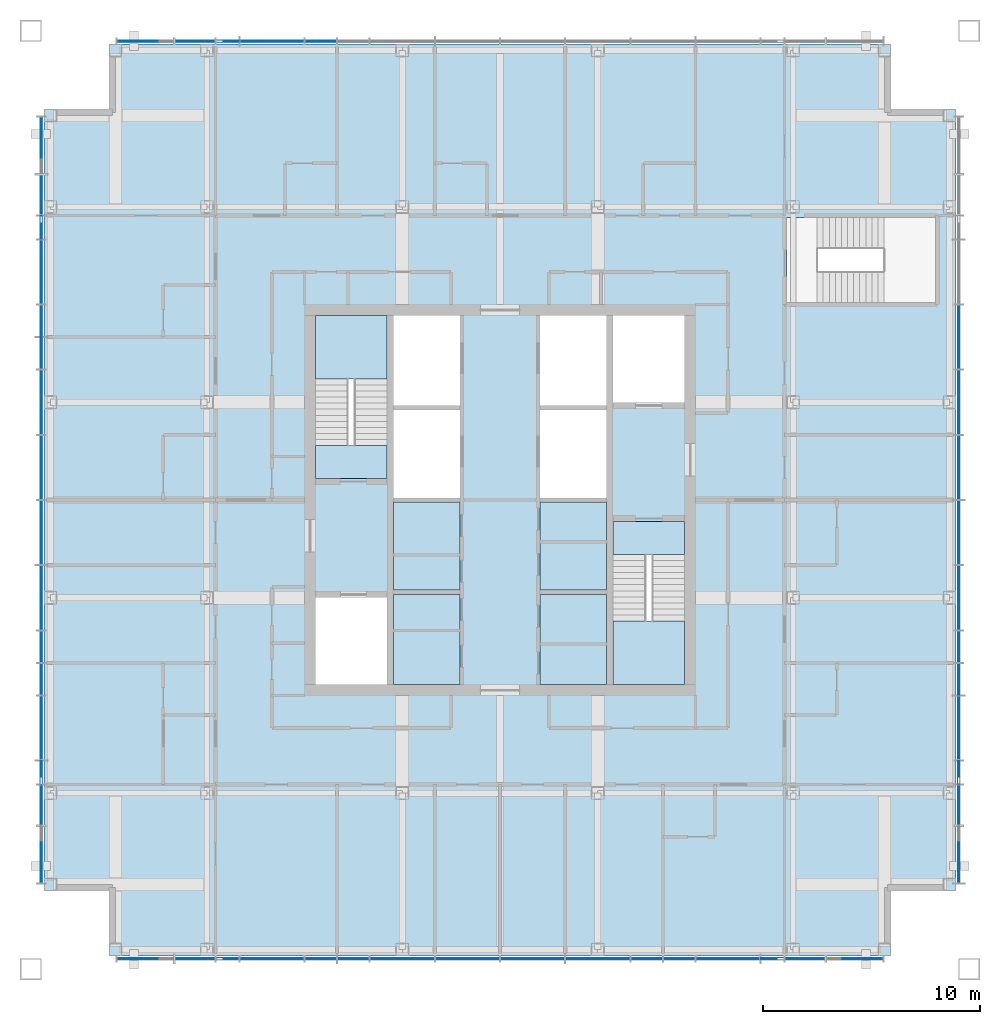
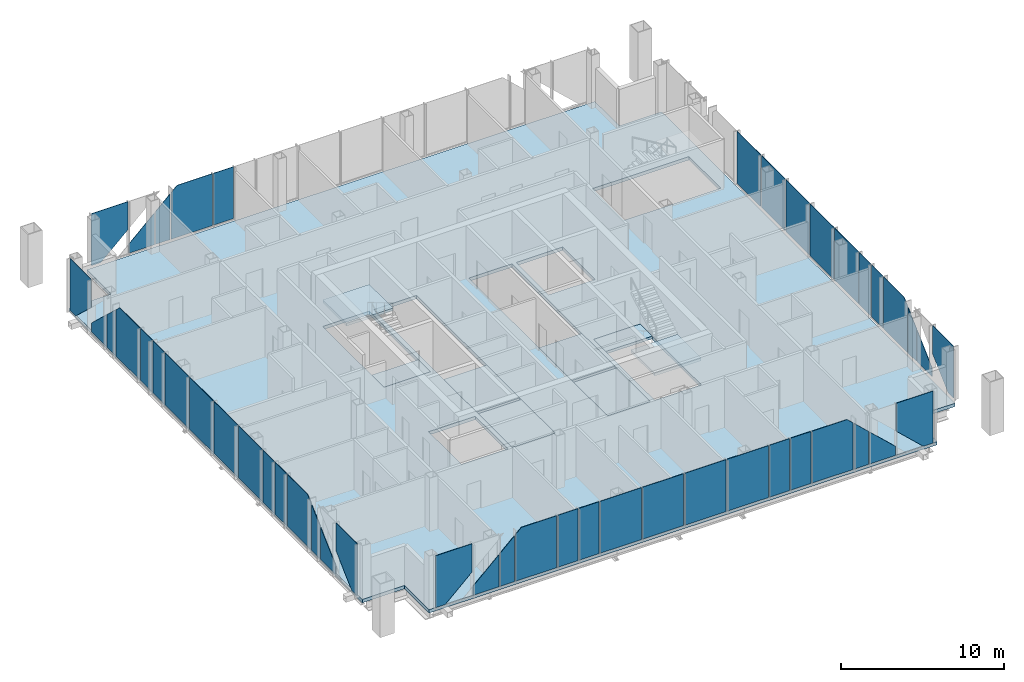
# One storey, part 6 of 16: 48 plates, 9 slabs, 6 elements without a shape of their own.
"""IFC4 building model written with IfcOpenShell, lengths in metres."""

from ifc_helpers import new_model, si_unit, direction, frame, origin, origin_2d, place, context, subcontext, project, spatial, polyline, rectangle, outline, extrude, material, layer, layer_set, type_object, element, aggregate, save


model = new_model("IFC4")

# Units and contexts
model_context = context("Model", 3, precision=1e-05, world=origin(), true_north=direction((0.0, 1.0)))
body_context = subcontext(model_context, "Body", "Model", "MODEL_VIEW")
ifc_project = project(units=[si_unit("LENGTHUNIT", "METRE"), si_unit("AREAUNIT", "SQUARE_METRE"), si_unit("VOLUMEUNIT", "CUBIC_METRE"), si_unit("PLANEANGLEUNIT", "RADIAN"), si_unit("MASSUNIT", "GRAM", prefix="KILO")], contexts=[model_context])

# Site, building, storey
site_placement = place(None, origin())
site = spatial("IfcSite", under=ifc_project, at=site_placement, CompositionType="ELEMENT")
building_placement = place(site_placement, origin())
building = spatial("IfcBuilding", under=site, at=building_placement, Name="Malebo Sky Hospital", CompositionType="ELEMENT")
storey_placement = place(building_placement, frame((0.0, 0.0, 254.0)))
storey = spatial("IfcBuildingStorey", under=building, at=storey_placement, Name="L61", CompositionType="ELEMENT", Elevation=254.0)

# Slabs
ifc_material_1 = material(Name="Concrete C40/50", Category="concrete")
ifc_layer_1 = layer(ifc_material_1, 0.25)
ifc_layer_set_1 = layer_set([ifc_layer_1], Name="COMPOSITE FLOOR SLAB 250")
slab_type_1 = type_object("IfcSlabType", Name="COMPOSITE FLOOR SLAB 250", PredefinedType="FLOOR", material=ifc_layer_set_1)
slab_1_placement = place(storey_placement, frame((0.0, 0.0, -0.25)))
element("IfcSlab", 1, at=slab_1_placement, inside=storey, type_object=slab_type_1, Name="Floor slab L61", PredefinedType="FLOOR", context=body_context, shape_type="SweptSolid", body=[
    extrude(outline(polyline([(42.0, 83.0), (42.0, 80.0), (39.0, 80.0), (39.0, 44.0), (42.0, 44.0), (42.0, 41.0), (78.0, 41.0), (78.0, 44.0), (81.0, 44.0), (81.0, 80.0), (78.0, 80.0), (78.0, 83.0), (42.0, 83.0)]), holes=[polyline([(55.10009765625, 70.5), (58.14990234375, 70.5), (58.14990234375, 53.5), (55.10009765625, 53.5), (55.10009765625, 70.5)]), polyline([(64.89990234375, 70.5), (64.89990234375, 53.5), (61.85009765625, 53.5), (61.85009765625, 70.5), (64.89990234375, 70.5)]), polyline([(54.800048828125, 63.0), (51.5, 63.0), (51.5, 70.5), (54.800048828125, 70.5), (54.800048828125, 63.0)]), polyline([(51.5, 53.5), (51.5, 57.5), (54.800048828125, 57.5), (54.800048828125, 53.5), (51.5, 53.5)]), polyline([(65.199951171875, 61.0), (68.5, 61.0), (68.5, 53.5), (65.199951171875, 53.5), (65.199951171875, 61.0)]), polyline([(68.5, 70.5), (68.5, 66.5), (65.199951171875, 66.5), (65.199951171875, 70.5), (68.5, 70.5)]), polyline([(80.050048828125, 71.10009765625), (73.199951171875, 71.10009765625), (73.199951171875, 75.0), (80.050048828125, 75.0), (80.050048828125, 71.10009765625)])]), origin(), (0.0, 0.0, 1.0), 0.25),
])
ifc_layer_2 = layer(ifc_material_1, 0.25)
ifc_layer_set_2 = layer_set([ifc_layer_2], Name="SHAFT INFILL SLAB 250")
slab_type_2 = type_object("IfcSlabType", Name="SHAFT INFILL SLAB 250", PredefinedType="FLOOR", material=ifc_layer_set_2)
slab_2_placement = place(storey_placement, frame((0.0, 0.0, -0.25)))
element("IfcSlab", 2, at=slab_2_placement, inside=storey, type_object=slab_type_2, Name="Shaft infill slab W1 L61", PredefinedType="FLOOR", context=body_context, shape_type="SweptSolid", body=[
    extrude(outline(polyline([(55.10009765625, 53.5), (58.14990234375, 53.5), (58.14990234375, 57.64990234375), (55.10009765625, 57.64990234375), (55.10009765625, 53.5)])), origin(), (0.0, 0.0, 1.0), 0.25),
])
slab_3_placement = place(storey_placement, frame((0.0, 0.0, -0.25)))
element("IfcSlab", 3, at=slab_3_placement, inside=storey, type_object=slab_type_2, Name="Shaft infill slab W2 L61", PredefinedType="FLOOR", context=body_context, shape_type="SweptSolid", body=[
    extrude(outline(polyline([(55.10009765625, 57.85009765625), (58.14990234375, 57.85009765625), (58.14990234375, 61.89990234375), (55.10009765625, 61.89990234375), (55.10009765625, 57.85009765625)])), origin(), (0.0, 0.0, 1.0), 0.25),
])
slab_4_placement = place(storey_placement, frame((0.0, 0.0, -0.25)))
element("IfcSlab", 4, at=slab_4_placement, inside=storey, type_object=slab_type_2, Name="Shaft infill slab E1 L61", PredefinedType="FLOOR", context=body_context, shape_type="SweptSolid", body=[
    extrude(outline(polyline([(61.85009765625, 53.5), (64.89990234375, 53.5), (64.89990234375, 57.64990234375), (61.85009765625, 57.64990234375), (61.85009765625, 53.5)])), origin(), (0.0, 0.0, 1.0), 0.25),
])
slab_5_placement = place(storey_placement, frame((0.0, 0.0, -0.25)))
element("IfcSlab", 5, at=slab_5_placement, inside=storey, type_object=slab_type_2, Name="Shaft infill slab E2 L61", PredefinedType="FLOOR", context=body_context, shape_type="SweptSolid", body=[
    extrude(outline(polyline([(61.85009765625, 57.85009765625), (64.89990234375, 57.85009765625), (64.89990234375, 61.89990234375), (61.85009765625, 61.89990234375), (61.85009765625, 57.85009765625)])), origin(), (0.0, 0.0, 1.0), 0.25),
])

# Stair, slabs
stair_type = type_object("IfcStairType", Name="HALF-TURN STAIR 1500 R167", PredefinedType="HALF_TURN_STAIR", material=ifc_material_1)
stair_1_placement = place(storey_placement, origin())
stair_1 = element("IfcStair", 6, at=stair_1_placement, inside=storey, type_object=stair_type, Name="Stair S1 L61 type ST1", PredefinedType="HALF_TURN_STAIR")
ifc_layer_3 = layer(ifc_material_1, 0.199951171875)
ifc_layer_set_3 = layer_set([ifc_layer_3], Name="STAIR LANDING 200")
slab_type_3 = type_object("IfcSlabType", Name="STAIR LANDING 200", PredefinedType="LANDING", material=ifc_layer_set_3)
slab_6_placement = place(storey_placement, frame((0.0, 0.0, -0.199951171875)))
slab_6 = element("IfcSlab", 7, at=slab_6_placement, type_object=slab_type_3, Name="S1 landing 1", PredefinedType="LANDING", context=body_context, shape_type="SweptSolid", body=[
    extrude(outline(polyline([(51.5, 63.0), (54.800048828125, 63.0), (54.800048828125, 64.5), (51.5, 64.5), (51.5, 63.0)])), origin(), (0.0, 0.0, 1.0), 0.199951171875),
])
slab_7_placement = place(storey_placement, frame((0.0, 0.0, 1.800048828125)))
slab_7 = element("IfcSlab", 8, at=slab_7_placement, type_object=slab_type_3, Name="S1 landing 2", PredefinedType="LANDING", context=body_context, shape_type="SweptSolid", body=[
    extrude(outline(polyline([(51.5, 67.580078125), (54.800048828125, 67.580078125), (54.800048828125, 70.5), (51.5, 70.5), (51.5, 67.580078125)])), origin(), (0.0, 0.0, 1.0), 0.199951171875),
])
aggregate(stair_1, [slab_6, slab_7])

stair_2_placement = place(storey_placement, origin())
stair_2 = element("IfcStair", 9, at=stair_2_placement, inside=storey, type_object=stair_type, Name="Stair S2 L61 type ST1", PredefinedType="HALF_TURN_STAIR")
slab_8_placement = place(storey_placement, frame((0.0, 0.0, -0.199951171875)))
slab_8 = element("IfcSlab", 10, at=slab_8_placement, type_object=slab_type_3, Name="S2 landing 1", PredefinedType="LANDING", context=body_context, shape_type="SweptSolid", body=[
    extrude(outline(polyline([(65.199951171875, 59.5), (68.5, 59.5), (68.5, 61.0), (65.199951171875, 61.0), (65.199951171875, 59.5)])), origin(), (0.0, 0.0, 1.0), 0.199951171875),
])
slab_9_placement = place(storey_placement, frame((0.0, 0.0, 1.800048828125)))
slab_9 = element("IfcSlab", 11, at=slab_9_placement, type_object=slab_type_3, Name="S2 landing 2", PredefinedType="LANDING", context=body_context, shape_type="SweptSolid", body=[
    extrude(outline(polyline([(65.199951171875, 53.5), (68.5, 53.5), (68.5, 56.419921875), (65.199951171875, 56.419921875), (65.199951171875, 53.5)])), origin(), (0.0, 0.0, 1.0), 0.199951171875),
])
aggregate(stair_2, [slab_8, slab_9])

# Curtain wall, plates
ifc_material_2 = material(Name="Anodised aluminium, natural silver", Category="aluminium")
ifc_layer_4 = layer(ifc_material_2, 0.25)
ifc_layer_set_4 = layer_set([ifc_layer_4], Name="WARD CURTAIN WALL NORTH AND SOUTH")
curtain_wall_type_1 = type_object("IfcCurtainWallType", Name="WARD CURTAIN WALL NORTH AND SOUTH", PredefinedType="NOTDEFINED", material=ifc_layer_set_4)
curtain_wall_1_placement = place(storey_placement, origin())
curtain_wall_1 = element("IfcCurtainWall", 12, at=curtain_wall_1_placement, inside=storey, type_object=curtain_wall_type_1, Name="NS curtain wall N", PredefinedType="NOTDEFINED")
ifc_material_3 = material(Name="Clear low-iron double glazing", Category="glass")
ifc_layer_5 = layer(ifc_material_3, 0.031982421875)
ifc_layer_set_5 = layer_set([ifc_layer_5], Name="VISION PANEL CLEAR 32")
plate_type = type_object("IfcPlateType", Name="VISION PANEL CLEAR 32", PredefinedType="CURTAIN_PANEL", material=ifc_layer_set_5)
plate_1_placement = place(storey_placement, frame((43.668701171875, 83.125, 0.10009765625), z_axis=(0.0, 0.0, 1.0), x_axis=(1.0, 0.0, 0.0)))
plate_1 = element("IfcPlate", 13, at=plate_1_placement, type_object=plate_type, Name="Panel 1", PredefinedType="CURTAIN_PANEL", context=body_context, shape_type="SweptSolid", body=[
    extrude(outline(polyline([(-1.293701171875, 0.0), (-0.604736328125, 0.0), (1.293701171875, 1.777587890625), (1.293701171875, 3.889892578125), (-1.293701171875, 3.889892578125), (-1.293701171875, 0.0)])), frame((0.0, 0.01611328125, 0.0), z_axis=(0.0, -1.0, 0.0), x_axis=(1.0, 0.0, 0.0)), (0.0, 0.0, 1.0), 0.031982421875),
])
plate_2_placement = place(storey_placement, frame((45.949951171875, 83.125, 0.10009765625), z_axis=(0.0, 0.0, 1.0), x_axis=(1.0, 0.0, 0.0)))
plate_2 = element("IfcPlate", 14, at=plate_2_placement, type_object=plate_type, Name="Panel 2", PredefinedType="CURTAIN_PANEL", context=body_context, shape_type="SweptSolid", body=[
    extrude(outline(polyline([(-0.91259765625, 0.0), (0.91259765625, 0.0), (0.91259765625, 2.390869140625), (-0.91259765625, 0.68212890625), (-0.91259765625, 0.0)])), frame((0.0, 0.01611328125, 0.0), z_axis=(0.0, -1.0, 0.0), x_axis=(1.0, 0.0, 0.0)), (0.0, 0.0, 1.0), 0.031982421875),
])
plate_3_placement = place(storey_placement, frame((47.449951171875, 83.125, 0.10009765625), z_axis=(0.0, 0.0, 1.0), x_axis=(1.0, 0.0, 0.0)))
plate_3 = element("IfcPlate", 15, at=plate_3_placement, type_object=plate_type, Name="Panel 3", PredefinedType="CURTAIN_PANEL", context=body_context, shape_type="SweptSolid", body=[
    extrude(outline(polyline([(-0.512451171875, 0.0), (0.512451171875, 0.0), (0.512451171875, 3.4208984375), (-0.512451171875, 2.461181640625), (-0.512451171875, 0.0)])), frame((0.0, 0.01611328125, 0.0), z_axis=(0.0, -1.0, 0.0), x_axis=(1.0, 0.0, 0.0)), (0.0, 0.0, 1.0), 0.031982421875),
])
plate_4_placement = place(storey_placement, frame((49.5, 83.125, 0.10009765625), z_axis=(0.0, 0.0, 1.0), x_axis=(1.0, 0.0, 0.0)))
plate_4 = element("IfcPlate", 16, at=plate_4_placement, type_object=plate_type, Name="Panel 4", PredefinedType="CURTAIN_PANEL", context=body_context, shape_type="SweptSolid", body=[
    extrude(outline(polyline([(-1.46240234375, 0.0), (1.46240234375, 0.0), (1.46240234375, 3.889892578125), (-1.03662109375, 3.889892578125), (-1.46240234375, 3.4912109375), (-1.46240234375, 0.0)])), frame((0.0, 0.01611328125, 0.0), z_axis=(0.0, -1.0, 0.0), x_axis=(1.0, 0.0, 0.0)), (0.0, 0.0, 1.0), 0.031982421875),
])
plate_5_placement = place(storey_placement, frame((51.75, 83.125, 0.10009765625), z_axis=(0.0, 0.0, 1.0), x_axis=(1.0, 0.0, 0.0)))
plate_5 = element("IfcPlate", 17, at=plate_5_placement, type_object=plate_type, Name="Panel 5", PredefinedType="CURTAIN_PANEL", context=body_context, shape_type="SweptSolid", body=[
    extrude(rectangle(XDim=1.425048828125, YDim=0.031982421875, at=origin_2d()), origin(), (0.0, 0.0, 1.0), 3.889892578125),
])
aggregate(curtain_wall_1, [plate_1, plate_2, plate_3, plate_4, plate_5])

ifc_layer_6 = layer(ifc_material_2, 0.25)
ifc_layer_set_6 = layer_set([ifc_layer_6], Name="WARD CURTAIN WALL EAST AND WEST")
curtain_wall_type_2 = type_object("IfcCurtainWallType", Name="WARD CURTAIN WALL EAST AND WEST", PredefinedType="NOTDEFINED", material=ifc_layer_set_6)
curtain_wall_2_placement = place(storey_placement, origin())
curtain_wall_2 = element("IfcCurtainWall", 18, at=curtain_wall_2_placement, inside=storey, type_object=curtain_wall_type_2, Name="EW curtain wall W", PredefinedType="NOTDEFINED")
plate_6_placement = place(storey_placement, frame((38.875, 45.668701171875, 0.10009765625), z_axis=(0.0, 0.0, 1.0), x_axis=(0.0, 1.0, 0.0)))
plate_6 = element("IfcPlate", 19, at=plate_6_placement, type_object=plate_type, Name="Panel 1", PredefinedType="CURTAIN_PANEL", context=body_context, shape_type="SweptSolid", body=[
    extrude(outline(polyline([(-1.293701171875, 0.0), (-0.604736328125, 0.0), (1.293701171875, 1.777587890625), (1.293701171875, 3.889892578125), (-1.293701171875, 3.889892578125), (-1.293701171875, 0.0)])), frame((0.0, 0.01611328125, 0.0), z_axis=(0.0, -1.0, 0.0), x_axis=(1.0, 0.0, 0.0)), (0.0, 0.0, 1.0), 0.031982421875),
])
plate_7_placement = place(storey_placement, frame((38.875, 47.949951171875, 0.10009765625), z_axis=(0.0, 0.0, 1.0), x_axis=(0.0, 1.0, 0.0)))
plate_7 = element("IfcPlate", 20, at=plate_7_placement, type_object=plate_type, Name="Panel 2", PredefinedType="CURTAIN_PANEL", context=body_context, shape_type="SweptSolid", body=[
    extrude(outline(polyline([(-0.91259765625, 0.0), (0.91259765625, 0.0), (0.91259765625, 2.390869140625), (-0.91259765625, 0.68212890625), (-0.91259765625, 0.0)])), frame((0.0, 0.01611328125, 0.0), z_axis=(0.0, -1.0, 0.0), x_axis=(1.0, 0.0, 0.0)), (0.0, 0.0, 1.0), 0.031982421875),
])
plate_8_placement = place(storey_placement, frame((38.875, 49.449951171875, 0.10009765625), z_axis=(0.0, 0.0, 1.0), x_axis=(0.0, 1.0, 0.0)))
plate_8 = element("IfcPlate", 21, at=plate_8_placement, type_object=plate_type, Name="Panel 3", PredefinedType="CURTAIN_PANEL", context=body_context, shape_type="SweptSolid", body=[
    extrude(outline(polyline([(-0.512451171875, 0.0), (0.512451171875, 0.0), (0.512451171875, 3.4208984375), (-0.512451171875, 2.461181640625), (-0.512451171875, 0.0)])), frame((0.0, 0.01611328125, 0.0), z_axis=(0.0, -1.0, 0.0), x_axis=(1.0, 0.0, 0.0)), (0.0, 0.0, 1.0), 0.031982421875),
])
plate_9_placement = place(storey_placement, frame((38.875, 51.5, 0.10009765625), z_axis=(0.0, 0.0, 1.0), x_axis=(0.0, 1.0, 0.0)))
plate_9 = element("IfcPlate", 22, at=plate_9_placement, type_object=plate_type, Name="Panel 4", PredefinedType="CURTAIN_PANEL", context=body_context, shape_type="SweptSolid", body=[
    extrude(outline(polyline([(-1.46240234375, 0.0), (1.46240234375, 0.0), (1.46240234375, 3.889892578125), (-1.03662109375, 3.889892578125), (-1.46240234375, 3.4912109375), (-1.46240234375, 0.0)])), frame((0.0, 0.01611328125, 0.0), z_axis=(0.0, -1.0, 0.0), x_axis=(1.0, 0.0, 0.0)), (0.0, 0.0, 1.0), 0.031982421875),
])
plate_10_placement = place(storey_placement, frame((38.875, 53.75, 0.10009765625), z_axis=(0.0, 0.0, 1.0), x_axis=(0.0, 1.0, 0.0)))
plate_10 = element("IfcPlate", 23, at=plate_10_placement, type_object=plate_type, Name="Panel 5", PredefinedType="CURTAIN_PANEL", context=body_context, shape_type="SweptSolid", body=[
    extrude(rectangle(XDim=1.425048828125, YDim=0.031982421875, at=origin_2d()), origin(), (0.0, 0.0, 1.0), 3.889892578125),
])
plate_11_placement = place(storey_placement, frame((38.875, 55.25, 0.10009765625), z_axis=(0.0, 0.0, 1.0), x_axis=(0.0, 1.0, 0.0)))
plate_11 = element("IfcPlate", 24, at=plate_11_placement, type_object=plate_type, Name="Panel 6", PredefinedType="CURTAIN_PANEL", context=body_context, shape_type="SweptSolid", body=[
    extrude(rectangle(XDim=1.425048828125, YDim=0.031982421875, at=origin_2d()), origin(), (0.0, 0.0, 1.0), 3.889892578125),
])
plate_12_placement = place(storey_placement, frame((38.875, 57.5, 0.10009765625), z_axis=(0.0, 0.0, 1.0), x_axis=(0.0, 1.0, 0.0)))
plate_12 = element("IfcPlate", 25, at=plate_12_placement, type_object=plate_type, Name="Panel 7", PredefinedType="CURTAIN_PANEL", context=body_context, shape_type="SweptSolid", body=[
    extrude(rectangle(XDim=2.925048828125, YDim=0.031982421875, at=origin_2d()), origin(), (0.0, 0.0, 1.0), 3.889892578125),
])
plate_13_placement = place(storey_placement, frame((38.875, 60.5, 0.10009765625), z_axis=(0.0, 0.0, 1.0), x_axis=(0.0, 1.0, 0.0)))
plate_13 = element("IfcPlate", 26, at=plate_13_placement, type_object=plate_type, Name="Panel 8", PredefinedType="CURTAIN_PANEL", context=body_context, shape_type="SweptSolid", body=[
    extrude(rectangle(XDim=2.925048828125, YDim=0.031982421875, at=origin_2d()), origin(), (0.0, 0.0, 1.0), 3.889892578125),
])
plate_14_placement = place(storey_placement, frame((38.875, 63.5, 0.10009765625), z_axis=(0.0, 0.0, 1.0), x_axis=(0.0, 1.0, 0.0)))
plate_14 = element("IfcPlate", 27, at=plate_14_placement, type_object=plate_type, Name="Panel 9", PredefinedType="CURTAIN_PANEL", context=body_context, shape_type="SweptSolid", body=[
    extrude(rectangle(XDim=2.925048828125, YDim=0.031982421875, at=origin_2d()), origin(), (0.0, 0.0, 1.0), 3.889892578125),
])
plate_15_placement = place(storey_placement, frame((38.875, 66.5, 0.10009765625), z_axis=(0.0, 0.0, 1.0), x_axis=(0.0, 1.0, 0.0)))
plate_15 = element("IfcPlate", 28, at=plate_15_placement, type_object=plate_type, Name="Panel 10", PredefinedType="CURTAIN_PANEL", context=body_context, shape_type="SweptSolid", body=[
    extrude(rectangle(XDim=2.925048828125, YDim=0.031982421875, at=origin_2d()), origin(), (0.0, 0.0, 1.0), 3.889892578125),
])
plate_16_placement = place(storey_placement, frame((38.875, 68.75, 0.10009765625), z_axis=(0.0, 0.0, 1.0), x_axis=(0.0, 1.0, 0.0)))
plate_16 = element("IfcPlate", 29, at=plate_16_placement, type_object=plate_type, Name="Panel 11", PredefinedType="CURTAIN_PANEL", context=body_context, shape_type="SweptSolid", body=[
    extrude(rectangle(XDim=1.425048828125, YDim=0.031982421875, at=origin_2d()), origin(), (0.0, 0.0, 1.0), 3.889892578125),
])
plate_17_placement = place(storey_placement, frame((38.875, 70.25, 0.10009765625), z_axis=(0.0, 0.0, 1.0), x_axis=(0.0, 1.0, 0.0)))
plate_17 = element("IfcPlate", 30, at=plate_17_placement, type_object=plate_type, Name="Panel 12", PredefinedType="CURTAIN_PANEL", context=body_context, shape_type="SweptSolid", body=[
    extrude(rectangle(XDim=1.425048828125, YDim=0.031982421875, at=origin_2d()), origin(), (0.0, 0.0, 1.0), 3.889892578125),
])
plate_18_placement = place(storey_placement, frame((38.875, 72.5, 0.10009765625), z_axis=(0.0, 0.0, 1.0), x_axis=(0.0, 1.0, 0.0)))
plate_18 = element("IfcPlate", 31, at=plate_18_placement, type_object=plate_type, Name="Panel 13", PredefinedType="CURTAIN_PANEL", context=body_context, shape_type="SweptSolid", body=[
    extrude(outline(polyline([(-1.46240234375, 0.0), (1.46240234375, 0.0), (1.46240234375, 3.4912109375), (1.03662109375, 3.889892578125), (-1.46240234375, 3.889892578125), (-1.46240234375, 0.0)])), frame((0.0, 0.01611328125, 0.0), z_axis=(0.0, -1.0, 0.0), x_axis=(1.0, 0.0, 0.0)), (0.0, 0.0, 1.0), 0.031982421875),
])
plate_19_placement = place(storey_placement, frame((38.875, 74.550048828125, 0.10009765625), z_axis=(0.0, 0.0, 1.0), x_axis=(0.0, 1.0, 0.0)))
plate_19 = element("IfcPlate", 32, at=plate_19_placement, type_object=plate_type, Name="Panel 14", PredefinedType="CURTAIN_PANEL", context=body_context, shape_type="SweptSolid", body=[
    extrude(outline(polyline([(-0.512451171875, 0.0), (0.512451171875, 0.0), (0.512451171875, 2.461181640625), (-0.512451171875, 3.4208984375), (-0.512451171875, 0.0)])), frame((0.0, 0.01611328125, 0.0), z_axis=(0.0, -1.0, 0.0), x_axis=(1.0, 0.0, 0.0)), (0.0, 0.0, 1.0), 0.031982421875),
])
plate_20_placement = place(storey_placement, frame((38.875, 76.050048828125, 0.10009765625), z_axis=(0.0, 0.0, 1.0), x_axis=(0.0, 1.0, 0.0)))
plate_20 = element("IfcPlate", 33, at=plate_20_placement, type_object=plate_type, Name="Panel 15", PredefinedType="CURTAIN_PANEL", context=body_context, shape_type="SweptSolid", body=[
    extrude(outline(polyline([(-0.91259765625, 0.0), (0.91259765625, 0.0), (0.91259765625, 0.68212890625), (-0.91259765625, 2.390869140625), (-0.91259765625, 0.0)])), frame((0.0, 0.01611328125, 0.0), z_axis=(0.0, -1.0, 0.0), x_axis=(1.0, 0.0, 0.0)), (0.0, 0.0, 1.0), 0.031982421875),
])
plate_21_placement = place(storey_placement, frame((38.875, 78.331298828125, 0.10009765625), z_axis=(0.0, 0.0, 1.0), x_axis=(0.0, 1.0, 0.0)))
plate_21 = element("IfcPlate", 34, at=plate_21_placement, type_object=plate_type, Name="Panel 16", PredefinedType="CURTAIN_PANEL", context=body_context, shape_type="SweptSolid", body=[
    extrude(outline(polyline([(0.604736328125, 0.0), (1.293701171875, 0.0), (1.293701171875, 3.889892578125), (-1.293701171875, 3.889892578125), (-1.293701171875, 1.777587890625), (0.604736328125, 0.0)])), frame((0.0, 0.01611328125, 0.0), z_axis=(0.0, -1.0, 0.0), x_axis=(1.0, 0.0, 0.0)), (0.0, 0.0, 1.0), 0.031982421875),
])
aggregate(curtain_wall_2, [plate_6, plate_7, plate_8, plate_9, plate_10, plate_11, plate_12, plate_13, plate_14, plate_15, plate_16, plate_17, plate_18, plate_19, plate_20, plate_21])

curtain_wall_3_placement = place(storey_placement, origin())
curtain_wall_3 = element("IfcCurtainWall", 35, at=curtain_wall_3_placement, inside=storey, type_object=curtain_wall_type_1, Name="NS curtain wall S", PredefinedType="NOTDEFINED")
plate_22_placement = place(storey_placement, frame((76.331298828125, 40.875, 0.10009765625), z_axis=(0.0, 0.0, 1.0), x_axis=(-1.0, 0.0, 0.0)))
plate_22 = element("IfcPlate", 36, at=plate_22_placement, type_object=plate_type, Name="Panel 1", PredefinedType="CURTAIN_PANEL", context=body_context, shape_type="SweptSolid", body=[
    extrude(outline(polyline([(-1.293701171875, 0.0), (-0.604736328125, 0.0), (1.293701171875, 1.777587890625), (1.293701171875, 3.889892578125), (-1.293701171875, 3.889892578125), (-1.293701171875, 0.0)])), frame((0.0, 0.01611328125, 0.0), z_axis=(0.0, -1.0, 0.0), x_axis=(1.0, 0.0, 0.0)), (0.0, 0.0, 1.0), 0.031982421875),
])
plate_23_placement = place(storey_placement, frame((74.050048828125, 40.875, 0.10009765625), z_axis=(0.0, 0.0, 1.0), x_axis=(-1.0, 0.0, 0.0)))
plate_23 = element("IfcPlate", 37, at=plate_23_placement, type_object=plate_type, Name="Panel 2", PredefinedType="CURTAIN_PANEL", context=body_context, shape_type="SweptSolid", body=[
    extrude(outline(polyline([(-0.91259765625, 0.0), (0.91259765625, 0.0), (0.91259765625, 2.390869140625), (-0.91259765625, 0.68212890625), (-0.91259765625, 0.0)])), frame((0.0, 0.01611328125, 0.0), z_axis=(0.0, -1.0, 0.0), x_axis=(1.0, 0.0, 0.0)), (0.0, 0.0, 1.0), 0.031982421875),
])
plate_24_placement = place(storey_placement, frame((72.550048828125, 40.875, 0.10009765625), z_axis=(0.0, 0.0, 1.0), x_axis=(-1.0, 0.0, 0.0)))
plate_24 = element("IfcPlate", 38, at=plate_24_placement, type_object=plate_type, Name="Panel 3", PredefinedType="CURTAIN_PANEL", context=body_context, shape_type="SweptSolid", body=[
    extrude(outline(polyline([(-0.512451171875, 0.0), (0.512451171875, 0.0), (0.512451171875, 3.4208984375), (-0.512451171875, 2.461181640625), (-0.512451171875, 0.0)])), frame((0.0, 0.01611328125, 0.0), z_axis=(0.0, -1.0, 0.0), x_axis=(1.0, 0.0, 0.0)), (0.0, 0.0, 1.0), 0.031982421875),
])
plate_25_placement = place(storey_placement, frame((70.5, 40.875, 0.10009765625), z_axis=(0.0, 0.0, 1.0), x_axis=(-1.0, 0.0, 0.0)))
plate_25 = element("IfcPlate", 39, at=plate_25_placement, type_object=plate_type, Name="Panel 4", PredefinedType="CURTAIN_PANEL", context=body_context, shape_type="SweptSolid", body=[
    extrude(outline(polyline([(-1.46240234375, 0.0), (1.46240234375, 0.0), (1.46240234375, 3.889892578125), (-1.03662109375, 3.889892578125), (-1.46240234375, 3.4912109375), (-1.46240234375, 0.0)])), frame((0.0, 0.01611328125, 0.0), z_axis=(0.0, -1.0, 0.0), x_axis=(1.0, 0.0, 0.0)), (0.0, 0.0, 1.0), 0.031982421875),
])
plate_26_placement = place(storey_placement, frame((68.25, 40.875, 0.10009765625), z_axis=(0.0, 0.0, 1.0), x_axis=(-1.0, 0.0, 0.0)))
plate_26 = element("IfcPlate", 40, at=plate_26_placement, type_object=plate_type, Name="Panel 5", PredefinedType="CURTAIN_PANEL", context=body_context, shape_type="SweptSolid", body=[
    extrude(rectangle(XDim=1.425048828125, YDim=0.031982421875, at=origin_2d()), origin(), (0.0, 0.0, 1.0), 3.889892578125),
])
plate_27_placement = place(storey_placement, frame((66.75, 40.875, 0.10009765625), z_axis=(0.0, 0.0, 1.0), x_axis=(-1.0, 0.0, 0.0)))
plate_27 = element("IfcPlate", 41, at=plate_27_placement, type_object=plate_type, Name="Panel 6", PredefinedType="CURTAIN_PANEL", context=body_context, shape_type="SweptSolid", body=[
    extrude(rectangle(XDim=1.425048828125, YDim=0.031982421875, at=origin_2d()), origin(), (0.0, 0.0, 1.0), 3.889892578125),
])
plate_28_placement = place(storey_placement, frame((64.5, 40.875, 0.10009765625), z_axis=(0.0, 0.0, 1.0), x_axis=(-1.0, 0.0, 0.0)))
plate_28 = element("IfcPlate", 42, at=plate_28_placement, type_object=plate_type, Name="Panel 7", PredefinedType="CURTAIN_PANEL", context=body_context, shape_type="SweptSolid", body=[
    extrude(rectangle(XDim=2.925048828125, YDim=0.031982421875, at=origin_2d()), origin(), (0.0, 0.0, 1.0), 3.889892578125),
])
plate_29_placement = place(storey_placement, frame((61.5, 40.875, 0.10009765625), z_axis=(0.0, 0.0, 1.0), x_axis=(-1.0, 0.0, 0.0)))
plate_29 = element("IfcPlate", 43, at=plate_29_placement, type_object=plate_type, Name="Panel 8", PredefinedType="CURTAIN_PANEL", context=body_context, shape_type="SweptSolid", body=[
    extrude(rectangle(XDim=2.925048828125, YDim=0.031982421875, at=origin_2d()), origin(), (0.0, 0.0, 1.0), 3.889892578125),
])
plate_30_placement = place(storey_placement, frame((58.5, 40.875, 0.10009765625), z_axis=(0.0, 0.0, 1.0), x_axis=(-1.0, 0.0, 0.0)))
plate_30 = element("IfcPlate", 44, at=plate_30_placement, type_object=plate_type, Name="Panel 9", PredefinedType="CURTAIN_PANEL", context=body_context, shape_type="SweptSolid", body=[
    extrude(rectangle(XDim=2.925048828125, YDim=0.031982421875, at=origin_2d()), origin(), (0.0, 0.0, 1.0), 3.889892578125),
])
plate_31_placement = place(storey_placement, frame((55.5, 40.875, 0.10009765625), z_axis=(0.0, 0.0, 1.0), x_axis=(-1.0, 0.0, 0.0)))
plate_31 = element("IfcPlate", 45, at=plate_31_placement, type_object=plate_type, Name="Panel 10", PredefinedType="CURTAIN_PANEL", context=body_context, shape_type="SweptSolid", body=[
    extrude(rectangle(XDim=2.925048828125, YDim=0.031982421875, at=origin_2d()), origin(), (0.0, 0.0, 1.0), 3.889892578125),
])
plate_32_placement = place(storey_placement, frame((53.25, 40.875, 0.10009765625), z_axis=(0.0, 0.0, 1.0), x_axis=(-1.0, 0.0, 0.0)))
plate_32 = element("IfcPlate", 46, at=plate_32_placement, type_object=plate_type, Name="Panel 11", PredefinedType="CURTAIN_PANEL", context=body_context, shape_type="SweptSolid", body=[
    extrude(rectangle(XDim=1.425048828125, YDim=0.031982421875, at=origin_2d()), origin(), (0.0, 0.0, 1.0), 3.889892578125),
])
plate_33_placement = place(storey_placement, frame((51.75, 40.875, 0.10009765625), z_axis=(0.0, 0.0, 1.0), x_axis=(-1.0, 0.0, 0.0)))
plate_33 = element("IfcPlate", 47, at=plate_33_placement, type_object=plate_type, Name="Panel 12", PredefinedType="CURTAIN_PANEL", context=body_context, shape_type="SweptSolid", body=[
    extrude(rectangle(XDim=1.425048828125, YDim=0.031982421875, at=origin_2d()), origin(), (0.0, 0.0, 1.0), 3.889892578125),
])
plate_34_placement = place(storey_placement, frame((49.5, 40.875, 0.10009765625), z_axis=(0.0, 0.0, 1.0), x_axis=(-1.0, 0.0, 0.0)))
plate_34 = element("IfcPlate", 48, at=plate_34_placement, type_object=plate_type, Name="Panel 13", PredefinedType="CURTAIN_PANEL", context=body_context, shape_type="SweptSolid", body=[
    extrude(outline(polyline([(-1.46240234375, 0.0), (1.46240234375, 0.0), (1.46240234375, 3.4912109375), (1.03662109375, 3.889892578125), (-1.46240234375, 3.889892578125), (-1.46240234375, 0.0)])), frame((0.0, 0.01611328125, 0.0), z_axis=(0.0, -1.0, 0.0), x_axis=(1.0, 0.0, 0.0)), (0.0, 0.0, 1.0), 0.031982421875),
])
plate_35_placement = place(storey_placement, frame((47.449951171875, 40.875, 0.10009765625), z_axis=(0.0, 0.0, 1.0), x_axis=(-1.0, 0.0, 0.0)))
plate_35 = element("IfcPlate", 49, at=plate_35_placement, type_object=plate_type, Name="Panel 14", PredefinedType="CURTAIN_PANEL", context=body_context, shape_type="SweptSolid", body=[
    extrude(outline(polyline([(-0.512451171875, 0.0), (0.512451171875, 0.0), (0.512451171875, 2.461181640625), (-0.512451171875, 3.4208984375), (-0.512451171875, 0.0)])), frame((0.0, 0.01611328125, 0.0), z_axis=(0.0, -1.0, 0.0), x_axis=(1.0, 0.0, 0.0)), (0.0, 0.0, 1.0), 0.031982421875),
])
plate_36_placement = place(storey_placement, frame((45.949951171875, 40.875, 0.10009765625), z_axis=(0.0, 0.0, 1.0), x_axis=(-1.0, 0.0, 0.0)))
plate_36 = element("IfcPlate", 50, at=plate_36_placement, type_object=plate_type, Name="Panel 15", PredefinedType="CURTAIN_PANEL", context=body_context, shape_type="SweptSolid", body=[
    extrude(outline(polyline([(-0.91259765625, 0.0), (0.91259765625, 0.0), (0.91259765625, 0.68212890625), (-0.91259765625, 2.390869140625), (-0.91259765625, 0.0)])), frame((0.0, 0.01611328125, 0.0), z_axis=(0.0, -1.0, 0.0), x_axis=(1.0, 0.0, 0.0)), (0.0, 0.0, 1.0), 0.031982421875),
])
plate_37_placement = place(storey_placement, frame((43.668701171875, 40.875, 0.10009765625), z_axis=(0.0, 0.0, 1.0), x_axis=(-1.0, 0.0, 0.0)))
plate_37 = element("IfcPlate", 51, at=plate_37_placement, type_object=plate_type, Name="Panel 16", PredefinedType="CURTAIN_PANEL", context=body_context, shape_type="SweptSolid", body=[
    extrude(outline(polyline([(0.604736328125, 0.0), (1.293701171875, 0.0), (1.293701171875, 3.889892578125), (-1.293701171875, 3.889892578125), (-1.293701171875, 1.777587890625), (0.604736328125, 0.0)])), frame((0.0, 0.01611328125, 0.0), z_axis=(0.0, -1.0, 0.0), x_axis=(1.0, 0.0, 0.0)), (0.0, 0.0, 1.0), 0.031982421875),
])
aggregate(curtain_wall_3, [plate_22, plate_23, plate_24, plate_25, plate_26, plate_27, plate_28, plate_29, plate_30, plate_31, plate_32, plate_33, plate_34, plate_35, plate_36, plate_37])

curtain_wall_4_placement = place(storey_placement, origin())
curtain_wall_4 = element("IfcCurtainWall", 52, at=curtain_wall_4_placement, inside=storey, type_object=curtain_wall_type_2, Name="EW curtain wall E", PredefinedType="NOTDEFINED")
plate_38_placement = place(storey_placement, frame((81.125, 69.5, 0.10009765625), z_axis=(0.0, 0.0, 1.0), x_axis=(0.0, -1.0, 0.0)))
plate_38 = element("IfcPlate", 53, at=plate_38_placement, type_object=plate_type, Name="Panel 5", PredefinedType="CURTAIN_PANEL", context=body_context, shape_type="SweptSolid", body=[
    extrude(rectangle(XDim=2.925048828125, YDim=0.031982421875, at=origin_2d()), origin(), (0.0, 0.0, 1.0), 3.889892578125),
])
plate_39_placement = place(storey_placement, frame((81.125, 66.5, 0.10009765625), z_axis=(0.0, 0.0, 1.0), x_axis=(0.0, -1.0, 0.0)))
plate_39 = element("IfcPlate", 54, at=plate_39_placement, type_object=plate_type, Name="Panel 6", PredefinedType="CURTAIN_PANEL", context=body_context, shape_type="SweptSolid", body=[
    extrude(rectangle(XDim=2.925048828125, YDim=0.031982421875, at=origin_2d()), origin(), (0.0, 0.0, 1.0), 3.889892578125),
])
plate_40_placement = place(storey_placement, frame((81.125, 63.5, 0.10009765625), z_axis=(0.0, 0.0, 1.0), x_axis=(0.0, -1.0, 0.0)))
plate_40 = element("IfcPlate", 55, at=plate_40_placement, type_object=plate_type, Name="Panel 7", PredefinedType="CURTAIN_PANEL", context=body_context, shape_type="SweptSolid", body=[
    extrude(rectangle(XDim=2.925048828125, YDim=0.031982421875, at=origin_2d()), origin(), (0.0, 0.0, 1.0), 3.889892578125),
])
plate_41_placement = place(storey_placement, frame((81.125, 60.5, 0.10009765625), z_axis=(0.0, 0.0, 1.0), x_axis=(0.0, -1.0, 0.0)))
plate_41 = element("IfcPlate", 56, at=plate_41_placement, type_object=plate_type, Name="Panel 8", PredefinedType="CURTAIN_PANEL", context=body_context, shape_type="SweptSolid", body=[
    extrude(rectangle(XDim=2.925048828125, YDim=0.031982421875, at=origin_2d()), origin(), (0.0, 0.0, 1.0), 3.889892578125),
])
plate_42_placement = place(storey_placement, frame((81.125, 57.5, 0.10009765625), z_axis=(0.0, 0.0, 1.0), x_axis=(0.0, -1.0, 0.0)))
plate_42 = element("IfcPlate", 57, at=plate_42_placement, type_object=plate_type, Name="Panel 9", PredefinedType="CURTAIN_PANEL", context=body_context, shape_type="SweptSolid", body=[
    extrude(rectangle(XDim=2.925048828125, YDim=0.031982421875, at=origin_2d()), origin(), (0.0, 0.0, 1.0), 3.889892578125),
])
plate_43_placement = place(storey_placement, frame((81.125, 55.25, 0.10009765625), z_axis=(0.0, 0.0, 1.0), x_axis=(0.0, -1.0, 0.0)))
plate_43 = element("IfcPlate", 58, at=plate_43_placement, type_object=plate_type, Name="Panel 10", PredefinedType="CURTAIN_PANEL", context=body_context, shape_type="SweptSolid", body=[
    extrude(rectangle(XDim=1.425048828125, YDim=0.031982421875, at=origin_2d()), origin(), (0.0, 0.0, 1.0), 3.889892578125),
])
plate_44_placement = place(storey_placement, frame((81.125, 53.75, 0.10009765625), z_axis=(0.0, 0.0, 1.0), x_axis=(0.0, -1.0, 0.0)))
plate_44 = element("IfcPlate", 59, at=plate_44_placement, type_object=plate_type, Name="Panel 11", PredefinedType="CURTAIN_PANEL", context=body_context, shape_type="SweptSolid", body=[
    extrude(rectangle(XDim=1.425048828125, YDim=0.031982421875, at=origin_2d()), origin(), (0.0, 0.0, 1.0), 3.889892578125),
])
plate_45_placement = place(storey_placement, frame((81.125, 51.5, 0.10009765625), z_axis=(0.0, 0.0, 1.0), x_axis=(0.0, -1.0, 0.0)))
plate_45 = element("IfcPlate", 60, at=plate_45_placement, type_object=plate_type, Name="Panel 12", PredefinedType="CURTAIN_PANEL", context=body_context, shape_type="SweptSolid", body=[
    extrude(outline(polyline([(-1.46240234375, 0.0), (1.46240234375, 0.0), (1.46240234375, 3.4912109375), (1.03662109375, 3.889892578125), (-1.46240234375, 3.889892578125), (-1.46240234375, 0.0)])), frame((0.0, 0.01611328125, 0.0), z_axis=(0.0, -1.0, 0.0), x_axis=(1.0, 0.0, 0.0)), (0.0, 0.0, 1.0), 0.031982421875),
])
plate_46_placement = place(storey_placement, frame((81.125, 49.449951171875, 0.10009765625), z_axis=(0.0, 0.0, 1.0), x_axis=(0.0, -1.0, 0.0)))
plate_46 = element("IfcPlate", 61, at=plate_46_placement, type_object=plate_type, Name="Panel 13", PredefinedType="CURTAIN_PANEL", context=body_context, shape_type="SweptSolid", body=[
    extrude(outline(polyline([(-0.512451171875, 0.0), (0.512451171875, 0.0), (0.512451171875, 2.461181640625), (-0.512451171875, 3.4208984375), (-0.512451171875, 0.0)])), frame((0.0, 0.01611328125, 0.0), z_axis=(0.0, -1.0, 0.0), x_axis=(1.0, 0.0, 0.0)), (0.0, 0.0, 1.0), 0.031982421875),
])
plate_47_placement = place(storey_placement, frame((81.125, 47.949951171875, 0.10009765625), z_axis=(0.0, 0.0, 1.0), x_axis=(0.0, -1.0, 0.0)))
plate_47 = element("IfcPlate", 62, at=plate_47_placement, type_object=plate_type, Name="Panel 14", PredefinedType="CURTAIN_PANEL", context=body_context, shape_type="SweptSolid", body=[
    extrude(outline(polyline([(-0.91259765625, 0.0), (0.91259765625, 0.0), (0.91259765625, 0.68212890625), (-0.91259765625, 2.390869140625), (-0.91259765625, 0.0)])), frame((0.0, 0.01611328125, 0.0), z_axis=(0.0, -1.0, 0.0), x_axis=(1.0, 0.0, 0.0)), (0.0, 0.0, 1.0), 0.031982421875),
])
plate_48_placement = place(storey_placement, frame((81.125, 45.668701171875, 0.10009765625), z_axis=(0.0, 0.0, 1.0), x_axis=(0.0, -1.0, 0.0)))
plate_48 = element("IfcPlate", 63, at=plate_48_placement, type_object=plate_type, Name="Panel 15", PredefinedType="CURTAIN_PANEL", context=body_context, shape_type="SweptSolid", body=[
    extrude(outline(polyline([(0.604736328125, 0.0), (1.293701171875, 0.0), (1.293701171875, 3.889892578125), (-1.293701171875, 3.889892578125), (-1.293701171875, 1.777587890625), (0.604736328125, 0.0)])), frame((0.0, 0.01611328125, 0.0), z_axis=(0.0, -1.0, 0.0), x_axis=(1.0, 0.0, 0.0)), (0.0, 0.0, 1.0), 0.031982421875),
])
aggregate(curtain_wall_4, [plate_38, plate_39, plate_40, plate_41, plate_42, plate_43, plate_44, plate_45, plate_46, plate_47, plate_48])

save(model, "model.ifc")
